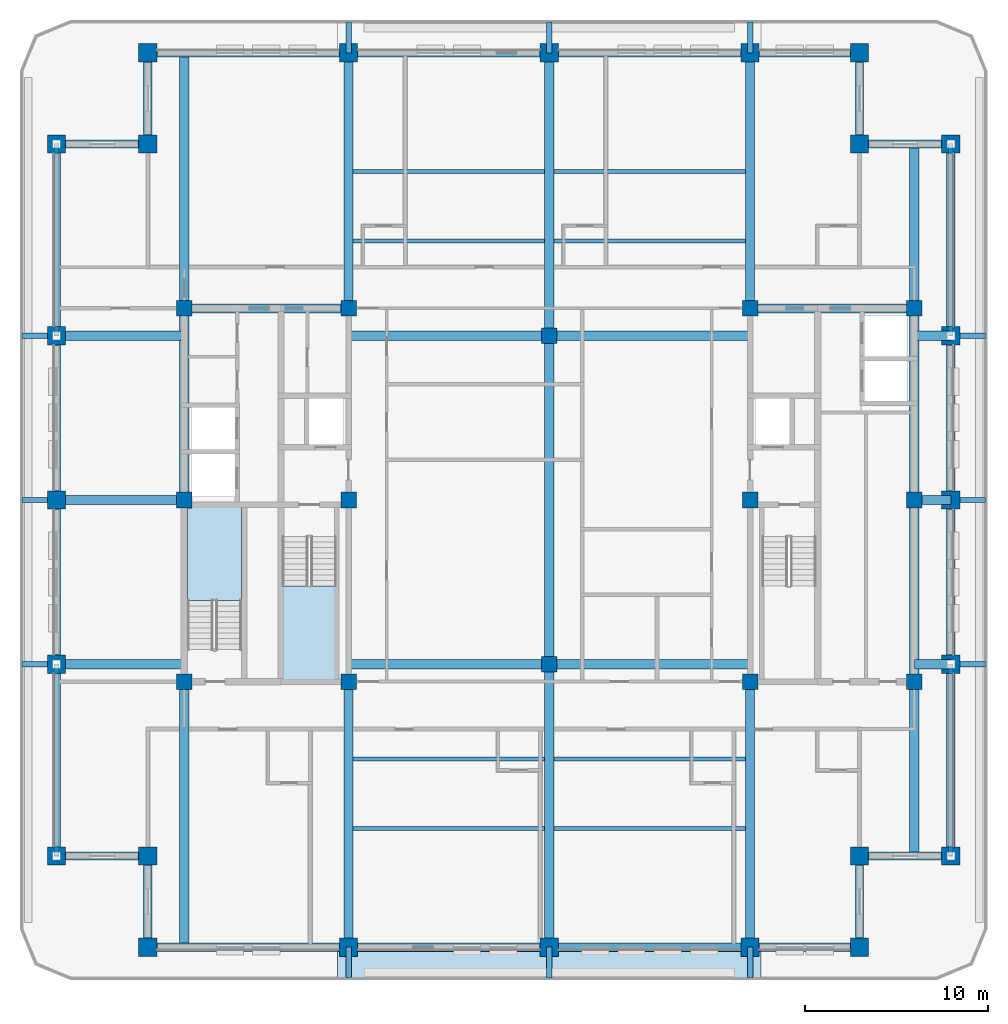
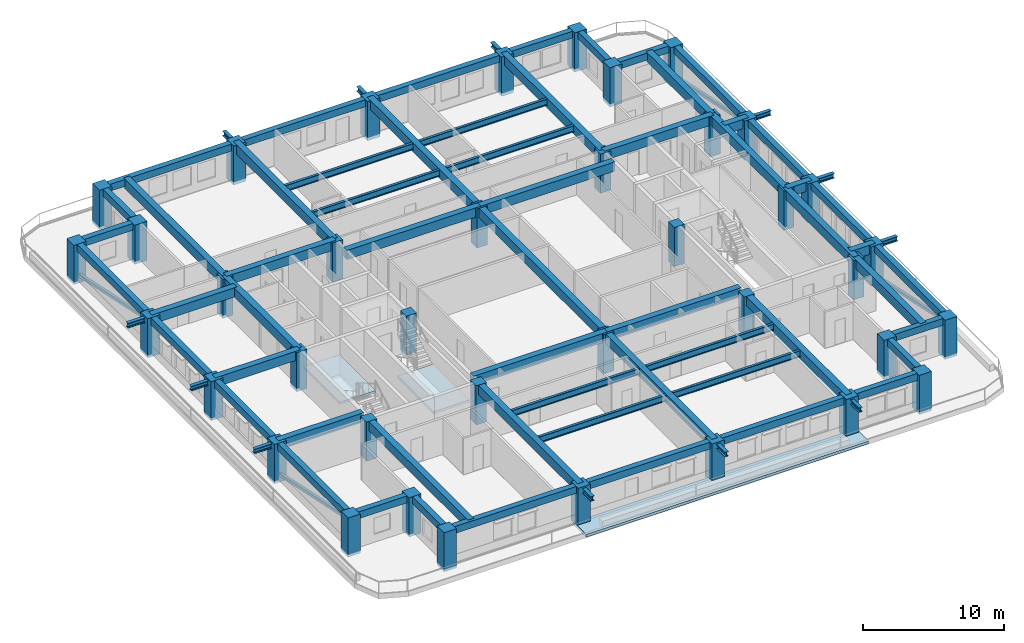
# One storey, part 1 of 14: 70 beams, 38 columns, 4 members, 3 slabs, 2 elements without a shape of their own.
"""IFC4 building model written with IfcOpenShell, lengths in metres."""

import ifcopenshell
import ifcopenshell.guid

model = None  # the IFC model being written
_history = None  # IfcOwnerHistory: only IFC2X3 demands one
_inside = {}  # id of a spatial element -> (the spatial element, [elements in it])
_under = {}  # id of a project, library or spatial element -> (it, [spatial elements below it])
_declared = {}  # id of a project -> (the project, [libraries it declares])
_typed = {}  # id of a type object -> (the type object, [elements of that type])
_made_of = {}  # id of a material, layer set ... -> (it, [elements and type objects made of it])


def new_model(schema):
    """Start an empty IFC model of exactly this schema.

    Asked for "IFC4X3", IfcOpenShell would pick the latest addendum, in which some entities
    have other attributes; the version numbers below select the first issue.
    IFC2X3 requires an IfcOwnerHistory on every rooted entity: one is made here for all.
    """
    global model, _history
    if schema == "IFC4X3":
        model = ifcopenshell.file(schema_version=(4, 3, 0, 0))
    else:
        model = ifcopenshell.file(schema=schema)
    _inside.clear()
    _under.clear()
    _declared.clear()
    _typed.clear()
    _made_of.clear()
    _history = None
    if model.schema == "IFC2X3":
        org = make("IfcOrganization", Name="unknown")
        user = make(
            "IfcPersonAndOrganization",
            ThePerson=make("IfcPerson", FamilyName="unknown"),
            TheOrganization=org,
        )
        app = make(
            "IfcApplication",
            ApplicationDeveloper=org,
            Version="unknown",
            ApplicationFullName="unknown",
            ApplicationIdentifier="unknown",
        )
        _history = make(
            "IfcOwnerHistory",
            OwningUser=user,
            OwningApplication=app,
            ChangeAction="ADDED",
            CreationDate=0,
        )
    return model


def make(cls, **values):
    """One entity of the class cls with the attributes given. An attribute that is None is left unset."""
    return model.create_entity(
        cls, **{name: value for name, value in values.items() if value is not None}
    )


def rooted(cls, **values):
    """An entity with a GlobalId (a new one), such as an element, a storey or a relation."""
    return make(cls, GlobalId=ifcopenshell.guid.new(), OwnerHistory=_history, **values)


def si_unit(unit_type, name, prefix=None):
    """IfcSIUnit, for example si_unit("LENGTHUNIT", "METRE", prefix="MILLI")."""
    return make("IfcSIUnit", UnitType=unit_type, Prefix=prefix, Name=name)


def assignment(units):
    """IfcUnitAssignment: the units of a project."""
    return None if units is None else make("IfcUnitAssignment", Units=units)


def point(xyz):
    """IfcCartesianPoint."""
    return None if xyz is None else make("IfcCartesianPoint", Coordinates=xyz)


def direction(xyz):
    """IfcDirection."""
    return None if xyz is None else make("IfcDirection", DirectionRatios=xyz)


def frame(location, z_axis=None, x_axis=None):
    """IfcAxis2Placement3D, a coordinate frame: its origin and axes. An axis left out is left unset."""
    return make(
        "IfcAxis2Placement3D",
        Location=point(location),
        Axis=direction(z_axis),
        RefDirection=direction(x_axis),
    )


def frame_2d(location, x_axis=None):
    """IfcAxis2Placement2D, a coordinate frame in the plane: its origin and x axis."""
    return make(
        "IfcAxis2Placement2D", Location=point(location), RefDirection=direction(x_axis)
    )


def origin():
    """The frame at (0, 0, 0) with its axes left unset."""
    return frame((0.0, 0.0, 0.0))


def origin_2d():
    """The frame at (0, 0) in the plane with its x axis left unset."""
    return frame_2d((0.0, 0.0))


def place(relative_to, where):
    """IfcLocalPlacement: puts the frame where relative to a parent placement (None: the world)."""
    return make(
        "IfcLocalPlacement", PlacementRelTo=relative_to, RelativePlacement=where
    )


def context(
    kind, dimensions, precision=None, world=None, true_north=None, identifier=None
):
    """IfcGeometricRepresentationContext, for example the 3D "Model" context."""
    return make(
        "IfcGeometricRepresentationContext",
        ContextIdentifier=identifier,
        ContextType=kind,
        CoordinateSpaceDimension=dimensions,
        Precision=precision,
        WorldCoordinateSystem=world,
        TrueNorth=true_north,
    )


def subcontext(parent, identifier, kind, view, scale=None):
    """IfcGeometricRepresentationSubContext, for example "Body" below "Model"."""
    return make(
        "IfcGeometricRepresentationSubContext",
        ContextIdentifier=identifier,
        ContextType=kind,
        ParentContext=parent,
        TargetScale=scale,
        TargetView=view,
    )


def project(units=None, contexts=None):
    """IfcProject with its units and contexts."""
    return rooted(
        "IfcProject",
        Name="project",
        RepresentationContexts=contexts,
        UnitsInContext=assignment(units),
    )


def spatial(cls, under=None, at=None, **own):
    """A site, building, storey or space (cls), placed at a placement, below another one or the project."""
    s = rooted(cls, ObjectPlacement=at, **own)
    if under is not None:
        _under.setdefault(under.id(), (under, []))[1].append(s)
    return s


def polyline(points):
    """IfcPolyline through the points."""
    return make("IfcPolyline", Points=[point(p) for p in points])


def profile(cls, at=None, kind="AREA", **sizes):
    """A parametric profile (cls). Its sizes go by their IFC names, for example OverallWidth=200.0."""
    return make(cls, ProfileType=kind, Position=at, **sizes)


def rectangle(**sizes):
    """IfcRectangleProfileDef."""
    return profile("IfcRectangleProfileDef", **sizes)


def hollow_rectangle(**sizes):
    """IfcRectangleHollowProfileDef."""
    return profile("IfcRectangleHollowProfileDef", **sizes)


def i_section(**sizes):
    """IfcIShapeProfileDef."""
    return profile("IfcIShapeProfileDef", **sizes)


def outline(outer, holes=None, kind="AREA"):
    """IfcArbitraryClosedProfileDef: a profile drawn as a closed curve; with holes, ...WithVoids."""
    if holes is None:
        return make("IfcArbitraryClosedProfileDef", ProfileType=kind, OuterCurve=outer)
    return make(
        "IfcArbitraryProfileDefWithVoids",
        ProfileType=kind,
        OuterCurve=outer,
        InnerCurves=holes,
    )


def extrude(swept, where, along, depth):
    """IfcExtrudedAreaSolid: the profile swept, set in the frame where, extruded along a direction by depth."""
    return make(
        "IfcExtrudedAreaSolid",
        SweptArea=swept,
        Position=where,
        ExtrudedDirection=direction(along),
        Depth=depth,
    )


def shape(context_of_items, identifier, shape_type, items):
    """IfcShapeRepresentation: the items that make up one representation, for example the "Body"."""
    return make(
        "IfcShapeRepresentation",
        ContextOfItems=context_of_items,
        RepresentationIdentifier=identifier,
        RepresentationType=shape_type,
        Items=items,
    )


def material(Name=None, Category=None):
    """IfcMaterial."""
    return make("IfcMaterial", Name=Name, Category=Category)


def layer(
    of_material, thickness, ventilated=None, Name=None, Category=None, Priority=None
):
    """IfcMaterialLayer: one layer of a wall or slab, of a material (None: an air gap)."""
    return make(
        "IfcMaterialLayer",
        Material=of_material,
        LayerThickness=thickness,
        IsVentilated=ventilated,
        Name=Name,
        Category=Category,
        Priority=Priority,
    )


def layer_set(layers, Name=None):
    """IfcMaterialLayerSet."""
    return make("IfcMaterialLayerSet", MaterialLayers=layers, LayerSetName=Name)


def material_profile(
    of_material, cross_section, Name=None, Category=None, Priority=None
):
    """IfcMaterialProfile: a cross section and its material."""
    return make(
        "IfcMaterialProfile",
        Name=Name,
        Material=of_material,
        Profile=cross_section,
        Priority=Priority,
        Category=Category,
    )


def profile_set(profiles, Name=None, composite=None):
    """IfcMaterialProfileSet."""
    return make(
        "IfcMaterialProfileSet",
        Name=Name,
        MaterialProfiles=profiles,
        CompositeProfile=composite,
    )


def made_of(thing, what):
    """Note that an element or type object is made of a material, layer set ...; save() writes the relation."""
    if what is not None:
        _made_of.setdefault(what.id(), (what, []))[1].append(thing)
    return thing


def type_object(cls, material=None, **own):
    """A type object (cls), such as IfcWallType, which elements share."""
    return made_of(rooted(cls, **own), material)


def element(
    cls,
    number,
    at=None,
    inside=None,
    cuts=None,
    type_object=None,
    material=None,
    context=None,
    identifier="Body",
    shape_type=None,
    held_by="IfcProductDefinitionShape",
    body=None,
    shapes=None,
    **own,
):
    """One element of the class cls, such as IfcWall. Its Tag is "e" and its number.

    at: its placement. inside: the storey or other place that contains it. cuts: it is an
    opening in that element (IfcRelVoidsElement). A single representation is given by context,
    identifier, shape_type and body (its items); several are given by shapes. held_by: the class
    of the entity that holds the representations. save() writes the other relations.
    """
    e = rooted(cls, Tag="e%d" % number, ObjectPlacement=at, **own)
    if body is not None:
        shapes = [shape(context, identifier, shape_type, body)]
    if shapes is not None:
        e.Representation = make(held_by, Representations=shapes)
    if inside is not None:
        _inside.setdefault(inside.id(), (inside, []))[1].append(e)
    if cuts is not None:
        rooted(
            "IfcRelVoidsElement", RelatingBuildingElement=cuts, RelatedOpeningElement=e
        )
    if type_object is not None:
        _typed.setdefault(type_object.id(), (type_object, []))[1].append(e)
    return made_of(e, material)


def aggregate(whole, parts):
    """IfcRelAggregates: a whole, such as a stair, and the parts it consists of."""
    return rooted("IfcRelAggregates", RelatingObject=whole, RelatedObjects=parts)


def save(model, path):
    """Write the relations noted so far, then the file.

    IfcRelAggregates (storeys below a building ...), IfcRelContainedInSpatialStructure (elements
    in a storey), IfcRelDefinesByType, IfcRelAssociatesMaterial and IfcRelDeclares: one each for
    every whole, place, type object, material and project.
    """
    for whole, parts in _under.values():
        aggregate(whole, parts)
    for where, things in _inside.values():
        rooted(
            "IfcRelContainedInSpatialStructure",
            RelatedElements=things,
            RelatingStructure=where,
        )
    for kind, things in _typed.values():
        rooted("IfcRelDefinesByType", RelatedObjects=things, RelatingType=kind)
    for what, things in _made_of.values():
        rooted("IfcRelAssociatesMaterial", RelatedObjects=things, RelatingMaterial=what)
    for by, libraries in _declared.values():
        rooted("IfcRelDeclares", RelatingContext=by, RelatedDefinitions=libraries)
    model.write(path)


model = new_model("IFC4")

# Units and contexts
model_context = context("Model", 3, precision=1e-05, world=origin(), true_north=direction((0.0, 1.0)))
body_context = subcontext(model_context, "Body", "Model", "MODEL_VIEW")
ifc_project = project(units=[si_unit("LENGTHUNIT", "METRE"), si_unit("AREAUNIT", "SQUARE_METRE"), si_unit("VOLUMEUNIT", "CUBIC_METRE"), si_unit("PLANEANGLEUNIT", "RADIAN"), si_unit("MASSUNIT", "GRAM", prefix="KILO")], contexts=[model_context])

# Site, building, storey
site_placement = place(None, origin())
site = spatial("IfcSite", under=ifc_project, at=site_placement, CompositionType="ELEMENT")
building_placement = place(site_placement, origin())
building = spatial("IfcBuilding", under=site, at=building_placement, Name="Zulmaris Gate Convention Tower", CompositionType="ELEMENT")
storey_placement = place(building_placement, frame((0.0, 0.0, 198.260009765625)))
storey = spatial("IfcBuildingStorey", under=building, at=storey_placement, Name="L51", CompositionType="ELEMENT", Elevation=198.260009765625)

# Columns
ifc_material_1 = material(Name="Concrete C60/75", Category="concrete")
ifc_material_profile_1 = material_profile(ifc_material_1, rectangle(XDim=1.0, YDim=1.0, at=origin_2d()), Name="RC COL 1000x1000")
ifc_profile_set_1 = profile_set([ifc_material_profile_1], Name="Concrete C60/75")
column_type_1 = type_object("IfcColumnType", Name="COL-RC1000", PredefinedType="COLUMN", material=ifc_profile_set_1)
for number, where, z_axis, x_axis, name in (
    (1, (-22.0, -24.5, -0.25), (0.0, 0.0, 1.0), (1.0, 0.0, 0.0), "L51 Column PT--22.00_-24.50"),
    (2, (-11.0, -24.5, -0.25), (0.0, 0.0, 1.0), (1.0, 0.0, 0.0), "L51 Column PT--11.00_-24.50"),
    (3, (0.0, -24.5, -0.25), (0.0, 0.0, 1.0), (1.0, 0.0, 0.0), "L51 Column PT-+0.00_-24.50"),
    (4, (11.0, -24.5, -0.25), (0.0, 0.0, 1.0), (1.0, 0.0, 0.0), "L51 Column PT-+11.00_-24.50"),
    (5, (17.0, -24.5, -0.25), (0.0, 0.0, 1.0), (1.0, 0.0, 0.0), "L51 Column PT-+17.00_-24.50"),
    (6, (-22.0, 24.5, -0.25), (0.0, 0.0, 1.0), (1.0, 0.0, 0.0), "L51 Column PT--22.00_+24.50"),
    (7, (-11.0, 24.5, -0.25), (0.0, 0.0, 1.0), (1.0, 0.0, 0.0), "L51 Column PT--11.00_+24.50"),
    (8, (0.0, 24.5, -0.25), (0.0, 0.0, 1.0), (1.0, 0.0, 0.0), "L51 Column PT-+0.00_+24.50"),
    (9, (11.0, 24.5, -0.25), (0.0, 0.0, 1.0), (1.0, 0.0, 0.0), "L51 Column PT-+11.00_+24.50"),
    (10, (17.0, 24.5, -0.25), (0.0, 0.0, 1.0), (1.0, 0.0, 0.0), "L51 Column PT-+17.00_+24.50"),
    (11, (-27.0, -19.5, -0.25), (0.0, 0.0, 1.0), (1.0, 0.0, 0.0), "L51 Column PT--27.00_-19.50"),
    (12, (-27.0, -9.0, -0.25), (0.0, 0.0, 1.0), (1.0, 0.0, 0.0), "L51 Column PT--27.00_-9.00"),
    (13, (-27.0, 0.0, -0.25), (0.0, 0.0, 1.0), (1.0, 0.0, 0.0), "L51 Column PT--27.00_+0.00"),
    (14, (-27.0, 9.0, -0.25), (0.0, 0.0, 1.0), (1.0, 0.0, 0.0), "L51 Column PT--27.00_+9.00"),
    (15, (-27.0, 19.5, -0.25), (0.0, 0.0, 1.0), (1.0, 0.0, 0.0), "L51 Column PT--27.00_+19.50"),
    (16, (22.0, -19.5, -0.25), (0.0, 0.0, 1.0), (1.0, 0.0, 0.0), "L51 Column PT-+22.00_-19.50"),
    (17, (22.0, -9.0, -0.25), (0.0, 0.0, 1.0), (1.0, 0.0, 0.0), "L51 Column PT-+22.00_-9.00"),
    (18, (22.0, 0.0, -0.25), (0.0, 0.0, 1.0), (1.0, 0.0, 0.0), "L51 Column PT-+22.00_+0.00"),
    (19, (22.0, 9.0, -0.25), (0.0, 0.0, 1.0), (1.0, 0.0, 0.0), "L51 Column PT-+22.00_+9.00"),
    (20, (22.0, 19.5, -0.25), (0.0, 0.0, 1.0), (1.0, 0.0, 0.0), "L51 Column PT-+22.00_+19.50"),
    (21, (-22.0, -19.5, -0.25), (0.0, 0.0, 1.0), (1.0, 0.0, 0.0), "L51 Column PT--22.00_-19.50"),
    (22, (17.0, -19.5, -0.25), (0.0, 0.0, 1.0), (1.0, 0.0, 0.0), "L51 Column PT-+17.00_-19.50"),
    (23, (17.0, 19.5, -0.25), (0.0, 0.0, 1.0), (1.0, 0.0, 0.0), "L51 Column PT-+17.00_+19.50"),
    (24, (-22.0, 19.5, -0.25), (0.0, 0.0, 1.0), (1.0, 0.0, 0.0), "L51 Column PT--22.00_+19.50"),
):
    element("IfcColumn", number, at=place(storey_placement, frame(where, z_axis=z_axis, x_axis=x_axis)), inside=storey, type_object=column_type_1, Name=name, PredefinedType="COLUMN", context=body_context, shape_type="SweptSolid", body=[
        extrude(rectangle(XDim=1.0, YDim=1.0, at=origin_2d()), origin(), (0.0, 0.0, 1.0), 3.39990234375),
    ])
ifc_material_profile_2 = material_profile(ifc_material_1, rectangle(XDim=0.85009765625, YDim=0.85009765625, at=origin_2d()), Name="RC COL 850x850")
ifc_profile_set_2 = profile_set([ifc_material_profile_2], Name="Concrete C60/75")
column_type_2 = type_object("IfcColumnType", Name="COL-RC850", PredefinedType="COLUMN", material=ifc_profile_set_2)
for number, where, z_axis, x_axis, name in (
    (25, (-20.0, -9.949951171875, -0.25), (0.0, 0.0, 1.0), (1.0, 0.0, 0.0), "L51 Column IN--20.00_-9.95"),
    (26, (-20.0, 10.5, -0.25), (0.0, 0.0, 1.0), (1.0, 0.0, 0.0), "L51 Column IN--20.00_+10.50"),
    (27, (-11.0, -9.949951171875, -0.25), (0.0, 0.0, 1.0), (1.0, 0.0, 0.0), "L51 Column IN--11.00_-9.95"),
    (28, (-11.0, 0.0, -0.25), (0.0, 0.0, 1.0), (1.0, 0.0, 0.0), "L51 Column IN--11.00_+0.00"),
    (29, (-11.0, 10.5, -0.25), (0.0, 0.0, 1.0), (1.0, 0.0, 0.0), "L51 Column IN--11.00_+10.50"),
    (30, (11.0, -9.949951171875, -0.25), (0.0, 0.0, 1.0), (1.0, 0.0, 0.0), "L51 Column IN-+11.00_-9.95"),
    (31, (11.0, 0.0, -0.25), (0.0, 0.0, 1.0), (1.0, 0.0, 0.0), "L51 Column IN-+11.00_+0.00"),
    (32, (11.0, 10.5, -0.25), (0.0, 0.0, 1.0), (1.0, 0.0, 0.0), "L51 Column IN-+11.00_+10.50"),
    (33, (20.0, -9.949951171875, -0.25), (0.0, 0.0, 1.0), (1.0, 0.0, 0.0), "L51 Column IN-+20.00_-9.95"),
    (34, (20.0, 10.5, -0.25), (0.0, 0.0, 1.0), (1.0, 0.0, 0.0), "L51 Column IN-+20.00_+10.50"),
    (35, (0.0, -9.0, -0.25), (0.0, 0.0, 1.0), (1.0, 0.0, 0.0), "L51 Column IN-+0.00_-9.00"),
    (36, (0.0, 9.0, -0.25), (0.0, 0.0, 1.0), (1.0, 0.0, 0.0), "L51 Column IN-+0.00_+9.00"),
    (37, (-20.0, 0.0, -0.25), (0.0, 0.0, 1.0), (1.0, 0.0, 0.0), "L51 Column IN--20.00_+0.00"),
    (38, (20.0, 0.0, -0.25), (0.0, 0.0, 1.0), (1.0, 0.0, 0.0), "L51 Column IN-+20.00_+0.00"),
):
    element("IfcColumn", number, at=place(storey_placement, frame(where, z_axis=z_axis, x_axis=x_axis)), inside=storey, type_object=column_type_2, Name=name, PredefinedType="COLUMN", context=body_context, shape_type="SweptSolid", body=[
        extrude(rectangle(XDim=0.85009765625, YDim=0.85009765625, at=origin_2d()), origin(), (0.0, 0.0, 1.0), 3.39990234375),
    ])

# Beams
ifc_material_2 = material(Name="Steel S355", Category="steel")
ifc_material_profile_3 = material_profile(ifc_material_2, i_section(OverallWidth=0.300048828125, OverallDepth=0.39990234375, WebThickness=0.013427734375, FlangeThickness=0.02392578125, FilletRadius=0.027099609375, at=origin_2d()), Name="HEB 400")
ifc_profile_set_3 = profile_set([ifc_material_profile_3], Name="Steel S355")
beam_type_1 = type_object("IfcBeamType", Name="BM-HEB400", PredefinedType="BEAM", material=ifc_profile_set_3)
for number, where, z_axis, x_axis, name in (
    (39, (-11.0, -26.199951171875, 2.809814453125), (0.0, 1.0, 0.0), (-1.0, 0.0, 0.0), "L51 Beam TBRK-L51-S--11"),
    (40, (-11.0, 24.5, 2.809814453125), (0.0, 1.0, 0.0), (-1.0, 0.0, 0.0), "L51 Beam TBRK-L51-N--11"),
    (41, (0.0, -26.199951171875, 2.809814453125), (0.0, 1.0, 0.0), (-1.0, 0.0, 0.0), "L51 Beam TBRK-L51-S-+0"),
    (42, (0.0, 24.5, 2.809814453125), (0.0, 1.0, 0.0), (-1.0, 0.0, 0.0), "L51 Beam TBRK-L51-N-+0"),
    (43, (11.0, -26.199951171875, 2.809814453125), (0.0, 1.0, 0.0), (-1.0, 0.0, 0.0), "L51 Beam TBRK-L51-S-+11"),
    (44, (11.0, 24.5, 2.809814453125), (0.0, 1.0, 0.0), (-1.0, 0.0, 0.0), "L51 Beam TBRK-L51-N-+11"),
):
    element("IfcBeam", number, at=place(storey_placement, frame(where, z_axis=z_axis, x_axis=x_axis)), inside=storey, type_object=beam_type_1, Name=name, PredefinedType="BEAM", context=body_context, shape_type="SweptSolid", body=[
        extrude(i_section(OverallWidth=0.300048828125, OverallDepth=0.39990234375, WebThickness=0.013427734375, FlangeThickness=0.02392578125, FilletRadius=0.027099609375, at=origin_2d()), origin(), (0.0, 0.0, 1.0), 1.699951171875),
    ])
for number, where, z_axis, x_axis, name in (
    (45, (-28.89990234375, -9.0, 2.809814453125), (1.0, 0.0, 0.0), (0.0, 1.0, 0.0), "L51 Beam TBRK-L51-W--9"),
    (46, (22.0, -9.0, 2.809814453125), (1.0, 0.0, 0.0), (0.0, 1.0, 0.0), "L51 Beam TBRK-L51-E--9"),
    (47, (-28.89990234375, 0.0, 2.809814453125), (1.0, 0.0, 0.0), (0.0, 1.0, 0.0), "L51 Beam TBRK-L51-W-+0"),
    (48, (22.0, 0.0, 2.809814453125), (1.0, 0.0, 0.0), (0.0, 1.0, 0.0), "L51 Beam TBRK-L51-E-+0"),
    (49, (-28.89990234375, 9.0, 2.809814453125), (1.0, 0.0, 0.0), (0.0, 1.0, 0.0), "L51 Beam TBRK-L51-W-+9"),
    (50, (22.0, 9.0, 2.809814453125), (1.0, 0.0, 0.0), (0.0, 1.0, 0.0), "L51 Beam TBRK-L51-E-+9"),
):
    element("IfcBeam", number, at=place(storey_placement, frame(where, z_axis=z_axis, x_axis=x_axis)), inside=storey, type_object=beam_type_1, Name=name, PredefinedType="BEAM", context=body_context, shape_type="SweptSolid", body=[
        extrude(i_section(OverallWidth=0.300048828125, OverallDepth=0.39990234375, WebThickness=0.013427734375, FlangeThickness=0.02392578125, FilletRadius=0.027099609375, at=origin_2d()), origin(), (0.0, 0.0, 1.0), 1.89990234375),
    ])
ifc_material_3 = material(Name="Concrete C50/60", Category="concrete")
ifc_material_profile_4 = material_profile(ifc_material_3, rectangle(XDim=0.5, YDim=0.800048828125, at=origin_2d()), Name="RC BEAM 500x800")
ifc_profile_set_4 = profile_set([ifc_material_profile_4], Name="Concrete C50/60")
beam_type_2 = type_object("IfcBeamType", Name="BM-RC500x800", PredefinedType="BEAM", material=ifc_profile_set_4)
for number, where, z_axis, x_axis, name in (
    (51, (-11.0, -9.0, 2.75), (1.0, 0.0, 0.0), (0.0, 1.0, 0.0), "L51 Beam BM-L51-G01"),
    (52, (0.0, -9.0, 2.75), (1.0, 0.0, 0.0), (0.0, 1.0, 0.0), "L51 Beam BM-L51-G02"),
    (53, (-11.0, 9.0, 2.75), (1.0, 0.0, 0.0), (0.0, 1.0, 0.0), "L51 Beam BM-L51-G03"),
    (54, (0.0, 9.0, 2.75), (1.0, 0.0, 0.0), (0.0, 1.0, 0.0), "L51 Beam BM-L51-G04"),
):
    element("IfcBeam", number, at=place(storey_placement, frame(where, z_axis=z_axis, x_axis=x_axis)), inside=storey, type_object=beam_type_2, Name=name, PredefinedType="BEAM", context=body_context, shape_type="SweptSolid", body=[
        extrude(rectangle(XDim=0.5, YDim=0.800048828125, at=origin_2d()), origin(), (0.0, 0.0, 1.0), 11.0),
    ])
beam_1_placement = place(storey_placement, frame((0.0, -24.5, 2.75), z_axis=(0.0, 1.0, 0.0), x_axis=(-1.0, 0.0, 0.0)))
element("IfcBeam", 55, at=beam_1_placement, inside=storey, type_object=beam_type_2, Name="L51 Beam BM-L51-G05", PredefinedType="BEAM", context=body_context, shape_type="SweptSolid", body=[
    extrude(rectangle(XDim=0.5, YDim=0.800048828125, at=origin_2d()), origin(), (0.0, 0.0, 1.0), 15.5),
])
beam_2_placement = place(storey_placement, frame((0.0, -9.0, 2.75), z_axis=(0.0, 1.0, 0.0), x_axis=(-1.0, 0.0, 0.0)))
element("IfcBeam", 56, at=beam_2_placement, inside=storey, type_object=beam_type_2, Name="L51 Beam BM-L51-G06", PredefinedType="BEAM", context=body_context, shape_type="SweptSolid", body=[
    extrude(rectangle(XDim=0.5, YDim=0.800048828125, at=origin_2d()), origin(), (0.0, 0.0, 1.0), 18.0),
])
beam_3_placement = place(storey_placement, frame((0.0, 9.0, 2.75), z_axis=(0.0, 1.0, 0.0), x_axis=(-1.0, 0.0, 0.0)))
element("IfcBeam", 57, at=beam_3_placement, inside=storey, type_object=beam_type_2, Name="L51 Beam BM-L51-G07", PredefinedType="BEAM", context=body_context, shape_type="SweptSolid", body=[
    extrude(rectangle(XDim=0.5, YDim=0.800048828125, at=origin_2d()), origin(), (0.0, 0.0, 1.0), 15.5),
])
beam_4_placement = place(storey_placement, frame((-11.0, -24.5, 2.75), z_axis=(0.0, 1.0, 0.0), x_axis=(-1.0, 0.0, 0.0)))
element("IfcBeam", 58, at=beam_4_placement, inside=storey, type_object=beam_type_2, Name="L51 Beam BM-L51-G08", PredefinedType="BEAM", context=body_context, shape_type="SweptSolid", body=[
    extrude(rectangle(XDim=0.5, YDim=0.800048828125, at=origin_2d()), origin(), (0.0, 0.0, 1.0), 14.550048828125),
])
beam_5_placement = place(storey_placement, frame((-11.0, 10.5, 2.75), z_axis=(0.0, 1.0, 0.0), x_axis=(-1.0, 0.0, 0.0)))
element("IfcBeam", 59, at=beam_5_placement, inside=storey, type_object=beam_type_2, Name="L51 Beam BM-L51-G09", PredefinedType="BEAM", context=body_context, shape_type="SweptSolid", body=[
    extrude(rectangle(XDim=0.5, YDim=0.800048828125, at=origin_2d()), origin(), (0.0, 0.0, 1.0), 14.0),
])
beam_6_placement = place(storey_placement, frame((11.0, -24.5, 2.75), z_axis=(0.0, 1.0, 0.0), x_axis=(-1.0, 0.0, 0.0)))
element("IfcBeam", 60, at=beam_6_placement, inside=storey, type_object=beam_type_2, Name="L51 Beam BM-L51-G10", PredefinedType="BEAM", context=body_context, shape_type="SweptSolid", body=[
    extrude(rectangle(XDim=0.5, YDim=0.800048828125, at=origin_2d()), origin(), (0.0, 0.0, 1.0), 14.550048828125),
])
beam_7_placement = place(storey_placement, frame((11.0, 10.5, 2.75), z_axis=(0.0, 1.0, 0.0), x_axis=(-1.0, 0.0, 0.0)))
element("IfcBeam", 61, at=beam_7_placement, inside=storey, type_object=beam_type_2, Name="L51 Beam BM-L51-G11", PredefinedType="BEAM", context=body_context, shape_type="SweptSolid", body=[
    extrude(rectangle(XDim=0.5, YDim=0.800048828125, at=origin_2d()), origin(), (0.0, 0.0, 1.0), 14.0),
])
beam_8_placement = place(storey_placement, frame((-20.0, -24.5, 2.75), z_axis=(0.0, 1.0, 0.0), x_axis=(-1.0, 0.0, 0.0)))
element("IfcBeam", 62, at=beam_8_placement, inside=storey, type_object=beam_type_2, Name="L51 Beam BM-L51-G12", PredefinedType="BEAM", context=body_context, shape_type="SweptSolid", body=[
    extrude(rectangle(XDim=0.5, YDim=0.800048828125, at=origin_2d()), origin(), (0.0, 0.0, 1.0), 14.550048828125),
])
beam_9_placement = place(storey_placement, frame((-20.0, 10.5, 2.75), z_axis=(0.0, 1.0, 0.0), x_axis=(-1.0, 0.0, 0.0)))
element("IfcBeam", 63, at=beam_9_placement, inside=storey, type_object=beam_type_2, Name="L51 Beam BM-L51-G13", PredefinedType="BEAM", context=body_context, shape_type="SweptSolid", body=[
    extrude(rectangle(XDim=0.5, YDim=0.800048828125, at=origin_2d()), origin(), (0.0, 0.0, 1.0), 14.0),
])
beam_10_placement = place(storey_placement, frame((20.0, -19.5, 2.75), z_axis=(0.0, 1.0, 0.0), x_axis=(-1.0, 0.0, 0.0)))
element("IfcBeam", 64, at=beam_10_placement, inside=storey, type_object=beam_type_2, Name="L51 Beam BM-L51-G14", PredefinedType="BEAM", context=body_context, shape_type="SweptSolid", body=[
    extrude(rectangle(XDim=0.5, YDim=0.800048828125, at=origin_2d()), origin(), (0.0, 0.0, 1.0), 9.550048828125),
])
beam_11_placement = place(storey_placement, frame((20.0, 10.5, 2.75), z_axis=(0.0, 1.0, 0.0), x_axis=(-1.0, 0.0, 0.0)))
element("IfcBeam", 65, at=beam_11_placement, inside=storey, type_object=beam_type_2, Name="L51 Beam BM-L51-G15", PredefinedType="BEAM", context=body_context, shape_type="SweptSolid", body=[
    extrude(rectangle(XDim=0.5, YDim=0.800048828125, at=origin_2d()), origin(), (0.0, 0.0, 1.0), 9.0),
])
for number, where, z_axis, x_axis, name in (
    (66, (-27.0, -9.0, 2.75), (1.0, 0.0, 0.0), (0.0, 1.0, 0.0), "L51 Beam BM-L51-G16"),
    (67, (-27.0, 0.0, 2.75), (1.0, 0.0, 0.0), (0.0, 1.0, 0.0), "L51 Beam BM-L51-G17"),
    (68, (-27.0, 9.0, 2.75), (1.0, 0.0, 0.0), (0.0, 1.0, 0.0), "L51 Beam BM-L51-G18"),
):
    element("IfcBeam", number, at=place(storey_placement, frame(where, z_axis=z_axis, x_axis=x_axis)), inside=storey, type_object=beam_type_2, Name=name, PredefinedType="BEAM", context=body_context, shape_type="SweptSolid", body=[
        extrude(rectangle(XDim=0.5, YDim=0.800048828125, at=origin_2d()), origin(), (0.0, 0.0, 1.0), 7.0),
    ])
for number, where, z_axis, x_axis, name in (
    (69, (20.0, -9.0, 2.75), (1.0, 0.0, 0.0), (0.0, 1.0, 0.0), "L51 Beam BM-L51-G19"),
    (70, (20.0, 0.0, 2.75), (1.0, 0.0, 0.0), (0.0, 1.0, 0.0), "L51 Beam BM-L51-G20"),
    (71, (20.0, 9.0, 2.75), (1.0, 0.0, 0.0), (0.0, 1.0, 0.0), "L51 Beam BM-L51-G21"),
):
    element("IfcBeam", number, at=place(storey_placement, frame(where, z_axis=z_axis, x_axis=x_axis)), inside=storey, type_object=beam_type_2, Name=name, PredefinedType="BEAM", context=body_context, shape_type="SweptSolid", body=[
        extrude(rectangle(XDim=0.5, YDim=0.800048828125, at=origin_2d()), origin(), (0.0, 0.0, 1.0), 2.0),
    ])
for number, where, z_axis, x_axis, name in (
    (72, (-20.0, 10.5, 2.75), (1.0, 0.0, 0.0), (0.0, 1.0, 0.0), "L51 Beam BM-L51-G23"),
    (73, (11.0, 10.5, 2.75), (1.0, 0.0, 0.0), (0.0, 1.0, 0.0), "L51 Beam BM-L51-G25"),
):
    element("IfcBeam", number, at=place(storey_placement, frame(where, z_axis=z_axis, x_axis=x_axis)), inside=storey, type_object=beam_type_2, Name=name, PredefinedType="BEAM", context=body_context, shape_type="SweptSolid", body=[
        extrude(rectangle(XDim=0.5, YDim=0.800048828125, at=origin_2d()), origin(), (0.0, 0.0, 1.0), 9.0),
    ])
beam_12_placement = place(storey_placement, frame((-20.0, 0.0, 2.75), z_axis=(0.0, 1.0, 0.0), x_axis=(-1.0, 0.0, 0.0)))
element("IfcBeam", 74, at=beam_12_placement, inside=storey, type_object=beam_type_2, Name="L51 Beam BM-L51-G27", PredefinedType="BEAM", context=body_context, shape_type="SweptSolid", body=[
    extrude(rectangle(XDim=0.5, YDim=0.800048828125, at=origin_2d()), origin(), (0.0, 0.0, 1.0), 10.5),
])
beam_13_placement = place(storey_placement, frame((20.0, -9.949951171875, 2.75), z_axis=(0.0, 1.0, 0.0), x_axis=(-1.0, 0.0, 0.0)))
element("IfcBeam", 75, at=beam_13_placement, inside=storey, type_object=beam_type_2, Name="L51 Beam BM-L51-G28", PredefinedType="BEAM", context=body_context, shape_type="SweptSolid", body=[
    extrude(rectangle(XDim=0.5, YDim=0.800048828125, at=origin_2d()), origin(), (0.0, 0.0, 1.0), 9.949951171875),
])
beam_14_placement = place(storey_placement, frame((20.0, 0.0, 2.75), z_axis=(0.0, 1.0, 0.0), x_axis=(-1.0, 0.0, 0.0)))
element("IfcBeam", 76, at=beam_14_placement, inside=storey, type_object=beam_type_2, Name="L51 Beam BM-L51-G29", PredefinedType="BEAM", context=body_context, shape_type="SweptSolid", body=[
    extrude(rectangle(XDim=0.5, YDim=0.800048828125, at=origin_2d()), origin(), (0.0, 0.0, 1.0), 10.5),
])
ifc_material_4 = material(Name="Precast concrete C50/60", Category="concrete")
ifc_material_profile_5 = material_profile(ifc_material_4, rectangle(XDim=0.449951171875, YDim=0.60009765625, at=origin_2d()), Name="RC SPANDREL 450x600")
ifc_profile_set_5 = profile_set([ifc_material_profile_5], Name="Precast concrete C50/60")
beam_type_3 = type_object("IfcBeamType", Name="BM-SP450x600", PredefinedType="SPANDREL", material=ifc_profile_set_5)
for number, where, z_axis, x_axis, name in (
    (77, (-22.0, -24.5, 2.849853515625), (1.0, 0.0, 0.0), (0.0, 1.0, 0.0), "L51 Spandrel SP-L51-01"),
    (78, (-11.0, -24.5, 2.849853515625), (1.0, 0.0, 0.0), (0.0, 1.0, 0.0), "L51 Spandrel SP-L51-02"),
    (79, (0.0, -24.5, 2.849853515625), (1.0, 0.0, 0.0), (0.0, 1.0, 0.0), "L51 Spandrel SP-L51-03"),
):
    element("IfcBeam", number, at=place(storey_placement, frame(where, z_axis=z_axis, x_axis=x_axis)), inside=storey, type_object=beam_type_3, Name=name, PredefinedType="SPANDREL", context=body_context, shape_type="SweptSolid", body=[
        extrude(rectangle(XDim=0.449951171875, YDim=0.60009765625, at=origin_2d()), origin(), (0.0, 0.0, 1.0), 11.0),
    ])
beam_15_placement = place(storey_placement, frame((11.0, -24.5, 2.849853515625), z_axis=(1.0, 0.0, 0.0), x_axis=(0.0, 1.0, 0.0)))
element("IfcBeam", 80, at=beam_15_placement, inside=storey, type_object=beam_type_3, Name="L51 Spandrel SP-L51-04", PredefinedType="SPANDREL", context=body_context, shape_type="SweptSolid", body=[
    extrude(rectangle(XDim=0.449951171875, YDim=0.60009765625, at=origin_2d()), origin(), (0.0, 0.0, 1.0), 6.0),
])
for number, where, z_axis, x_axis, name in (
    (81, (17.0, -24.5, 2.849853515625), (0.0, 1.0, 0.0), (-1.0, 0.0, 0.0), "L51 Spandrel SP-L51-05"),
    (82, (17.0, -19.5, 2.849853515625), (1.0, 0.0, 0.0), (0.0, 1.0, 0.0), "L51 Spandrel SP-L51-06"),
):
    element("IfcBeam", number, at=place(storey_placement, frame(where, z_axis=z_axis, x_axis=x_axis)), inside=storey, type_object=beam_type_3, Name=name, PredefinedType="SPANDREL", context=body_context, shape_type="SweptSolid", body=[
        extrude(rectangle(XDim=0.449951171875, YDim=0.60009765625, at=origin_2d()), origin(), (0.0, 0.0, 1.0), 5.0),
    ])
beam_16_placement = place(storey_placement, frame((22.0, -19.5, 2.849853515625), z_axis=(0.0, 1.0, 0.0), x_axis=(-1.0, 0.0, 0.0)))
element("IfcBeam", 83, at=beam_16_placement, inside=storey, type_object=beam_type_3, Name="L51 Spandrel SP-L51-07", PredefinedType="SPANDREL", context=body_context, shape_type="SweptSolid", body=[
    extrude(rectangle(XDim=0.449951171875, YDim=0.60009765625, at=origin_2d()), origin(), (0.0, 0.0, 1.0), 10.5),
])
for number, where, z_axis, x_axis, name in (
    (84, (22.0, -9.0, 2.849853515625), (0.0, 1.0, 0.0), (-1.0, 0.0, 0.0), "L51 Spandrel SP-L51-08"),
    (85, (22.0, 0.0, 2.849853515625), (0.0, 1.0, 0.0), (-1.0, 0.0, 0.0), "L51 Spandrel SP-L51-09"),
):
    element("IfcBeam", number, at=place(storey_placement, frame(where, z_axis=z_axis, x_axis=x_axis)), inside=storey, type_object=beam_type_3, Name=name, PredefinedType="SPANDREL", context=body_context, shape_type="SweptSolid", body=[
        extrude(rectangle(XDim=0.449951171875, YDim=0.60009765625, at=origin_2d()), origin(), (0.0, 0.0, 1.0), 9.0),
    ])
beam_17_placement = place(storey_placement, frame((22.0, 9.0, 2.849853515625), z_axis=(0.0, 1.0, 0.0), x_axis=(-1.0, 0.0, 0.0)))
element("IfcBeam", 86, at=beam_17_placement, inside=storey, type_object=beam_type_3, Name="L51 Spandrel SP-L51-10", PredefinedType="SPANDREL", context=body_context, shape_type="SweptSolid", body=[
    extrude(rectangle(XDim=0.449951171875, YDim=0.60009765625, at=origin_2d()), origin(), (0.0, 0.0, 1.0), 10.5),
])
for number, where, z_axis, x_axis, name in (
    (87, (22.0, 19.5, 2.849853515625), (-1.0, 0.0, 0.0), (0.0, -1.0, 0.0), "L51 Spandrel SP-L51-11"),
    (88, (17.0, 19.5, 2.849853515625), (0.0, 1.0, 0.0), (-1.0, 0.0, 0.0), "L51 Spandrel SP-L51-12"),
):
    element("IfcBeam", number, at=place(storey_placement, frame(where, z_axis=z_axis, x_axis=x_axis)), inside=storey, type_object=beam_type_3, Name=name, PredefinedType="SPANDREL", context=body_context, shape_type="SweptSolid", body=[
        extrude(rectangle(XDim=0.449951171875, YDim=0.60009765625, at=origin_2d()), origin(), (0.0, 0.0, 1.0), 5.0),
    ])
beam_18_placement = place(storey_placement, frame((17.0, 24.5, 2.849853515625), z_axis=(-1.0, 0.0, 0.0), x_axis=(0.0, -1.0, 0.0)))
element("IfcBeam", 89, at=beam_18_placement, inside=storey, type_object=beam_type_3, Name="L51 Spandrel SP-L51-13", PredefinedType="SPANDREL", context=body_context, shape_type="SweptSolid", body=[
    extrude(rectangle(XDim=0.449951171875, YDim=0.60009765625, at=origin_2d()), origin(), (0.0, 0.0, 1.0), 6.0),
])
for number, where, z_axis, x_axis, name in (
    (90, (11.0, 24.5, 2.849853515625), (-1.0, 0.0, 0.0), (0.0, -1.0, 0.0), "L51 Spandrel SP-L51-14"),
    (91, (0.0, 24.5, 2.849853515625), (-1.0, 0.0, 0.0), (0.0, -1.0, 0.0), "L51 Spandrel SP-L51-15"),
    (92, (-11.0, 24.5, 2.849853515625), (-1.0, 0.0, 0.0), (0.0, -1.0, 0.0), "L51 Spandrel SP-L51-16"),
):
    element("IfcBeam", number, at=place(storey_placement, frame(where, z_axis=z_axis, x_axis=x_axis)), inside=storey, type_object=beam_type_3, Name=name, PredefinedType="SPANDREL", context=body_context, shape_type="SweptSolid", body=[
        extrude(rectangle(XDim=0.449951171875, YDim=0.60009765625, at=origin_2d()), origin(), (0.0, 0.0, 1.0), 11.0),
    ])
for number, where, z_axis, x_axis, name in (
    (93, (-22.0, 24.5, 2.849853515625), (0.0, -1.0, 0.0), (1.0, 0.0, 0.0), "L51 Spandrel SP-L51-17"),
    (94, (-22.0, 19.5, 2.849853515625), (-1.0, 0.0, 0.0), (0.0, -1.0, 0.0), "L51 Spandrel SP-L51-18"),
):
    element("IfcBeam", number, at=place(storey_placement, frame(where, z_axis=z_axis, x_axis=x_axis)), inside=storey, type_object=beam_type_3, Name=name, PredefinedType="SPANDREL", context=body_context, shape_type="SweptSolid", body=[
        extrude(rectangle(XDim=0.449951171875, YDim=0.60009765625, at=origin_2d()), origin(), (0.0, 0.0, 1.0), 5.0),
    ])
beam_19_placement = place(storey_placement, frame((-27.0, 19.5, 2.849853515625), z_axis=(0.0, -1.0, 0.0), x_axis=(1.0, 0.0, 0.0)))
element("IfcBeam", 95, at=beam_19_placement, inside=storey, type_object=beam_type_3, Name="L51 Spandrel SP-L51-19", PredefinedType="SPANDREL", context=body_context, shape_type="SweptSolid", body=[
    extrude(rectangle(XDim=0.449951171875, YDim=0.60009765625, at=origin_2d()), origin(), (0.0, 0.0, 1.0), 10.5),
])
for number, where, z_axis, x_axis, name in (
    (96, (-27.0, 9.0, 2.849853515625), (0.0, -1.0, 0.0), (1.0, 0.0, 0.0), "L51 Spandrel SP-L51-20"),
    (97, (-27.0, 0.0, 2.849853515625), (0.0, -1.0, 0.0), (1.0, 0.0, 0.0), "L51 Spandrel SP-L51-21"),
):
    element("IfcBeam", number, at=place(storey_placement, frame(where, z_axis=z_axis, x_axis=x_axis)), inside=storey, type_object=beam_type_3, Name=name, PredefinedType="SPANDREL", context=body_context, shape_type="SweptSolid", body=[
        extrude(rectangle(XDim=0.449951171875, YDim=0.60009765625, at=origin_2d()), origin(), (0.0, 0.0, 1.0), 9.0),
    ])
beam_20_placement = place(storey_placement, frame((-27.0, -9.0, 2.849853515625), z_axis=(0.0, -1.0, 0.0), x_axis=(1.0, 0.0, 0.0)))
element("IfcBeam", 98, at=beam_20_placement, inside=storey, type_object=beam_type_3, Name="L51 Spandrel SP-L51-22", PredefinedType="SPANDREL", context=body_context, shape_type="SweptSolid", body=[
    extrude(rectangle(XDim=0.449951171875, YDim=0.60009765625, at=origin_2d()), origin(), (0.0, 0.0, 1.0), 10.5),
])
for number, where, z_axis, x_axis, name in (
    (99, (-27.0, -19.5, 2.849853515625), (1.0, 0.0, 0.0), (0.0, 1.0, 0.0), "L51 Spandrel SP-L51-23"),
    (100, (-22.0, -19.5, 2.849853515625), (0.0, -1.0, 0.0), (1.0, 0.0, 0.0), "L51 Spandrel SP-L51-24"),
):
    element("IfcBeam", number, at=place(storey_placement, frame(where, z_axis=z_axis, x_axis=x_axis)), inside=storey, type_object=beam_type_3, Name=name, PredefinedType="SPANDREL", context=body_context, shape_type="SweptSolid", body=[
        extrude(rectangle(XDim=0.449951171875, YDim=0.60009765625, at=origin_2d()), origin(), (0.0, 0.0, 1.0), 5.0),
    ])

# Members
ifc_material_profile_6 = material_profile(ifc_material_2, hollow_rectangle(XDim=0.25, YDim=0.25, WallThickness=0.012451171875, at=origin_2d()), Name="SHS 250x250x12.5")
ifc_profile_set_6 = profile_set([ifc_material_profile_6], Name="Steel S355")
member_type = type_object("IfcMemberType", Name="BR-SHS250", PredefinedType="BRACE", material=ifc_profile_set_6)
for number, where, z_axis, x_axis, name in (
    (101, (-27.0, -9.0, 0.300048828125), (0.0, -0.978187512575, 0.207723831667), (1.0, 0.0, 0.0), "L51 Perimeter Tube Diagonal SW-W"),
    (102, (-27.0, 19.5, 0.300048828125), (0.0, -0.978187512575, 0.207723831667), (1.0, 0.0, 0.0), "L51 Perimeter Tube Diagonal NW-W"),
    (103, (22.0, -9.0, 0.300048828125), (0.0, -0.978187512575, 0.207723831667), (1.0, 0.0, 0.0), "L51 Perimeter Tube Diagonal SE-E"),
    (104, (22.0, 19.5, 0.300048828125), (0.0, -0.978187512575, 0.207723831667), (1.0, 0.0, 0.0), "L51 Perimeter Tube Diagonal NE-E"),
):
    element("IfcMember", number, at=place(storey_placement, frame(where, z_axis=z_axis, x_axis=x_axis)), inside=storey, type_object=member_type, Name=name, PredefinedType="BRACE", context=body_context, shape_type="SweptSolid", body=[
        extrude(hollow_rectangle(XDim=0.25, YDim=0.25, WallThickness=0.012451171875, at=origin_2d()), origin(), (0.0, 0.0, 1.0), 10.734130859375),
    ])

# Beams
ifc_material_profile_7 = material_profile(ifc_material_2, i_section(OverallWidth=0.2099609375, OverallDepth=0.550048828125, WebThickness=0.010986328125, FlangeThickness=0.01708984375, FilletRadius=0.02392578125, at=origin_2d()), Name="IPE 550")
ifc_profile_set_7 = profile_set([ifc_material_profile_7], Name="Steel S355")
beam_type_4 = type_object("IfcBeamType", Name="JT-IPE550", PredefinedType="JOIST", material=ifc_profile_set_7)
for number, where, z_axis, x_axis, name in (
    (105, (-10.75, -18.0, 2.872802734375), (1.0, 0.0, 0.0), (0.0, 1.0, 0.0), "L51 Joist JT-L51-CW--18.0"),
    (106, (0.25, -18.0, 2.872802734375), (1.0, 0.0, 0.0), (0.0, 1.0, 0.0), "L51 Joist JT-L51-CE--18.0"),
    (107, (-10.75, -14.199951171875, 2.872802734375), (1.0, 0.0, 0.0), (0.0, 1.0, 0.0), "L51 Joist JT-L51-CW--14.2"),
    (108, (0.25, -14.199951171875, 2.872802734375), (1.0, 0.0, 0.0), (0.0, 1.0, 0.0), "L51 Joist JT-L51-CE--14.2"),
    (109, (-10.75, 14.199951171875, 2.872802734375), (1.0, 0.0, 0.0), (0.0, 1.0, 0.0), "L51 Joist JT-L51-CW-+14.2"),
    (110, (0.25, 14.199951171875, 2.872802734375), (1.0, 0.0, 0.0), (0.0, 1.0, 0.0), "L51 Joist JT-L51-CE-+14.2"),
    (111, (-10.75, 18.0, 2.872802734375), (1.0, 0.0, 0.0), (0.0, 1.0, 0.0), "L51 Joist JT-L51-CW-+18.0"),
    (112, (0.25, 18.0, 2.872802734375), (1.0, 0.0, 0.0), (0.0, 1.0, 0.0), "L51 Joist JT-L51-CE-+18.0"),
):
    element("IfcBeam", number, at=place(storey_placement, frame(where, z_axis=z_axis, x_axis=x_axis)), inside=storey, type_object=beam_type_4, Name=name, PredefinedType="JOIST", context=body_context, shape_type="SweptSolid", body=[
        extrude(i_section(OverallWidth=0.2099609375, OverallDepth=0.550048828125, WebThickness=0.010986328125, FlangeThickness=0.01708984375, FilletRadius=0.02392578125, at=origin_2d()), origin(), (0.0, 0.0, 1.0), 10.5),
    ])

# Slab
ifc_layer_1 = layer(ifc_material_4, 0.239990234375, Name="Precast concrete C50/60")
ifc_layer_set_1 = layer_set([ifc_layer_1], Name="Precast concrete C50/60")
slab_type_1 = type_object("IfcSlabType", Name="SL-BAL-240", PredefinedType="FLOOR", material=ifc_layer_set_1)
slab_1_placement = place(storey_placement, frame((0.0, 0.0, -0.27490234375)))
element("IfcSlab", 113, at=slab_1_placement, inside=storey, type_object=slab_type_1, Name="L51 South Tree-Balcony Planter Slab", PredefinedType="FLOOR", context=body_context, shape_type="SweptSolid", body=[
    extrude(outline(polyline([(-11.597900390625, -26.300048828125), (-11.597900390625, -24.5), (11.597900390625, -24.5), (11.597900390625, -26.300048828125), (-11.597900390625, -26.300048828125)])), origin(), (0.0, 0.0, 1.0), 0.239990234375),
])

# Stair, slab
ifc_material_5 = material(Name="Concrete C45/55", Category="concrete")
stair_type = type_object("IfcStairType", Name="ST-CORE-DOGLEG", PredefinedType="HALF_TURN_STAIR", material=ifc_material_5)
stair_1_placement = place(storey_placement, origin())
stair_1 = element("IfcStair", 114, at=stair_1_placement, inside=storey, type_object=stair_type, Name="L51 Core Exit Stair ST-1", PredefinedType="HALF_TURN_STAIR")
ifc_layer_2 = layer(ifc_material_5, 0.199951171875, Name="Concrete C45/55")
ifc_layer_set_2 = layer_set([ifc_layer_2], Name="Concrete C45/55")
slab_type_2 = type_object("IfcSlabType", Name="SL-LND-200", PredefinedType="LANDING", material=ifc_layer_set_2)
slab_2_placement = place(storey_placement, frame((0.0, 0.0, 1.5)))
slab_2 = element("IfcSlab", 115, at=slab_2_placement, type_object=slab_type_2, Name="ST-1 landing 1", PredefinedType="LANDING", context=body_context, shape_type="SweptSolid", body=[
    extrude(outline(polyline([(-14.6201171875, -4.699951171875), (-14.6201171875, -9.85009765625), (-11.659912109375, -9.85009765625), (-11.659912109375, -4.699951171875), (-14.6201171875, -4.699951171875)])), origin(), (0.0, 0.0, 1.0), 0.199951171875),
])
aggregate(stair_1, [slab_2])

stair_2_placement = place(storey_placement, origin())
stair_2 = element("IfcStair", 116, at=stair_2_placement, inside=storey, type_object=stair_type, Name="L51 Core Exit Stair ST-3", PredefinedType="HALF_TURN_STAIR")
slab_3_placement = place(storey_placement, frame((0.0, 0.0, 1.5)))
slab_3 = element("IfcSlab", 117, at=slab_3_placement, type_object=slab_type_2, Name="ST-3 landing 1", PredefinedType="LANDING", context=body_context, shape_type="SweptSolid", body=[
    extrude(outline(polyline([(-16.860107421875, -5.5), (-16.860107421875, -0.35009765625), (-19.820068359375, -0.35009765625), (-19.820068359375, -5.5), (-16.860107421875, -5.5)])), origin(), (0.0, 0.0, 1.0), 0.199951171875),
])
aggregate(stair_2, [slab_3])

save(model, "model.ifc")
